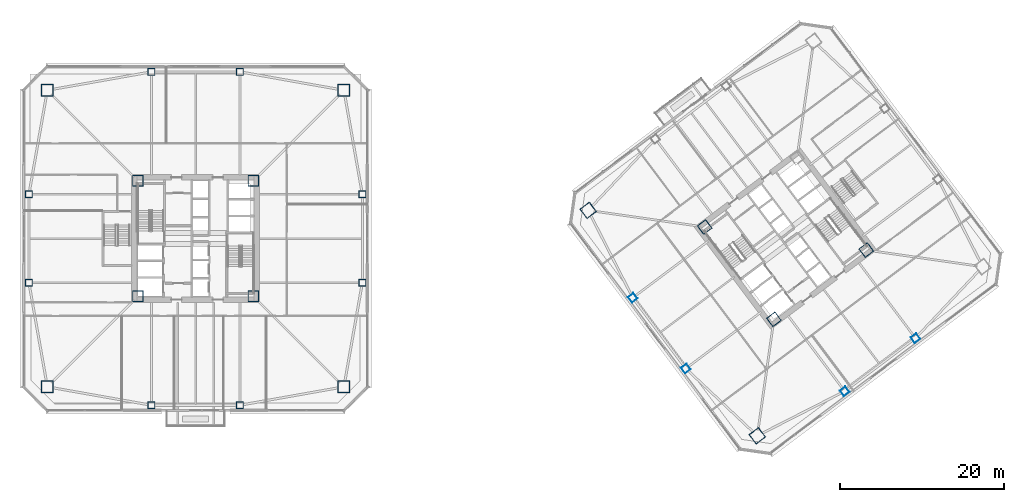
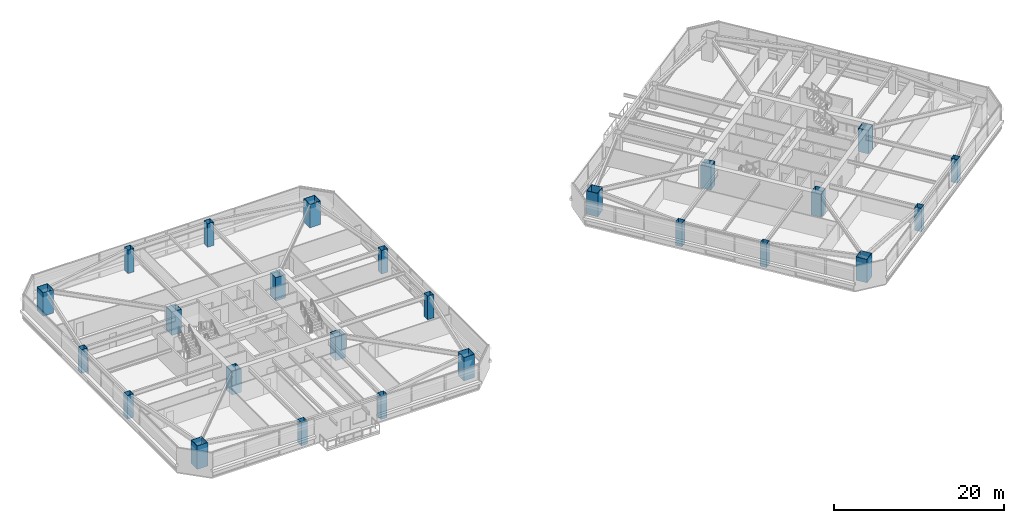
# One storey, part 1 of 44: 25 columns.
"""IFC4 building model written with IfcOpenShell, lengths in metres."""

from ifc_helpers import new_model, si_unit, direction, frame, origin, origin_2d, place, context, subcontext, project, spatial, hollow_rectangle, extrude, material, material_profile, profile_set, type_object, element, save


model = new_model("IFC4")

# Units and contexts
model_context = context("Model", 3, precision=1e-05, world=origin(), true_north=direction((0.0, 1.0)))
body_context = subcontext(model_context, "Body", "Model", "MODEL_VIEW")
ifc_project = project(units=[si_unit("LENGTHUNIT", "METRE"), si_unit("AREAUNIT", "SQUARE_METRE"), si_unit("VOLUMEUNIT", "CUBIC_METRE"), si_unit("PLANEANGLEUNIT", "RADIAN"), si_unit("MASSUNIT", "GRAM", prefix="KILO")], contexts=[model_context])

# Site, building, storey
site_placement = place(None, origin())
site = spatial("IfcSite", under=ifc_project, at=site_placement, CompositionType="ELEMENT")
building_placement = place(site_placement, origin())
building = spatial("IfcBuilding", under=site, at=building_placement, Name="Tashvorn Skyway Center", CompositionType="ELEMENT")
storey_placement = place(building_placement, frame((0.0, 0.0, 92.050048828125)))
storey = spatial("IfcBuildingStorey", under=building, at=storey_placement, Name="L24", CompositionType="ELEMENT", Elevation=92.050048828125)

# Columns
ifc_material = material(Name="Steel ASTM A572 Grade 50", Category="steel")
ifc_material_profile_1 = material_profile(ifc_material, hollow_rectangle(XDim=1.300048828125, YDim=1.300048828125, WallThickness=0.050048828125, at=origin_2d()), Name="BOX1300x1300x50")
ifc_profile_set_1 = profile_set([ifc_material_profile_1], Name="Steel ASTM A572 Grade 50")
column_type_1 = type_object("IfcColumnType", Name="COL-BOX1300x1300x50", PredefinedType="COLUMN", material=ifc_profile_set_1)
for number, where, z_axis, x_axis, name in (
    (1, (34.949951171875, 24.949951171875, 0.0), (0.0, 0.0, 1.0), (1.0, 0.0, 0.0), "Tower 1 L24 Core Corner Column CC-SW"),
    (2, (49.050048828125, 24.949951171875, 0.0), (0.0, 0.0, 1.0), (1.0, 0.0, 0.0), "Tower 1 L24 Core Corner Column CC-SE"),
    (3, (49.050048828125, 39.050048828125, 0.0), (0.0, 0.0, 1.0), (1.0, 0.0, 0.0), "Tower 1 L24 Core Corner Column CC-NE"),
    (4, (34.949951171875, 39.050048828125, 0.0), (0.0, 0.0, 1.0), (1.0, 0.0, 0.0), "Tower 1 L24 Core Corner Column CC-NW"),
    (5, (112.590087890625, 22.1298828125, 0.0), (0.0, 0.0, 1.0), (0.799999996291, 0.600000004945, 0.0), "Tower 2 L24 Core Corner Column CC-SW"),
    (6, (123.8701171875, 30.590087890625, 0.0), (0.0, 0.0, 1.0), (0.799999996291, 0.600000004945, 0.0), "Tower 2 L24 Core Corner Column CC-SE"),
    (7, (104.1298828125, 33.409912109375, 0.0), (0.0, 0.0, 1.0), (0.799999996291, 0.600000004945, 0.0), "Tower 2 L24 Core Corner Column CC-NW"),
):
    element("IfcColumn", number, at=place(storey_placement, frame(where, z_axis=z_axis, x_axis=x_axis)), inside=storey, type_object=column_type_1, Name=name, PredefinedType="COLUMN", context=body_context, shape_type="SweptSolid", body=[
        extrude(hollow_rectangle(XDim=1.300048828125, YDim=1.300048828125, WallThickness=0.050048828125, at=origin_2d()), origin(), (0.0, 0.0, 1.0), 3.349853515625),
    ])
ifc_material_profile_2 = material_profile(ifc_material, hollow_rectangle(XDim=1.449951171875, YDim=1.449951171875, WallThickness=0.054931640625, at=origin_2d()), Name="BOX1450x1450x55")
ifc_profile_set_2 = profile_set([ifc_material_profile_2], Name="Steel ASTM A572 Grade 50")
column_type_2 = type_object("IfcColumnType", Name="COL-BOX1450x1450x55", PredefinedType="COLUMN", material=ifc_profile_set_2)
for number, where, z_axis, x_axis, name in (
    (8, (23.89990234375, 13.89990234375, 0.0), (0.0, 0.0, 1.0), (1.0, 0.0, 0.0), "Tower 1 L24 Mega-Column MC-SW"),
    (9, (60.10009765625, 13.89990234375, 0.0), (0.0, 0.0, 1.0), (1.0, 0.0, 0.0), "Tower 1 L24 Mega-Column MC-SE"),
    (10, (60.10009765625, 50.10009765625, 0.0), (0.0, 0.0, 1.0), (1.0, 0.0, 0.0), "Tower 1 L24 Mega-Column MC-NE"),
    (11, (23.89990234375, 50.10009765625, 0.0), (0.0, 0.0, 1.0), (1.0, 0.0, 0.0), "Tower 1 L24 Mega-Column MC-NW"),
    (12, (110.56005859375, 7.919921875, 0.0), (0.0, 0.0, 1.0), (0.799999996291, 0.600000004945, 0.0), "Tower 2 L24 Mega-Column MC-SW"),
    (13, (89.919921875, 35.43994140625, 0.0), (0.0, 0.0, 1.0), (0.799999996291, 0.600000004945, 0.0), "Tower 2 L24 Mega-Column MC-NW"),
):
    element("IfcColumn", number, at=place(storey_placement, frame(where, z_axis=z_axis, x_axis=x_axis)), inside=storey, type_object=column_type_2, Name=name, PredefinedType="COLUMN", context=body_context, shape_type="SweptSolid", body=[
        extrude(hollow_rectangle(XDim=1.449951171875, YDim=1.449951171875, WallThickness=0.054931640625, at=origin_2d()), origin(), (0.0, 0.0, 1.0), 3.349853515625),
    ])
ifc_material_profile_3 = material_profile(ifc_material, hollow_rectangle(XDim=0.85009765625, YDim=0.85009765625, WallThickness=0.034912109375, at=origin_2d()), Name="BOX850x850x35")
ifc_profile_set_3 = profile_set([ifc_material_profile_3], Name="Steel ASTM A572 Grade 50")
column_type_3 = type_object("IfcColumnType", Name="COL-BOX850x850x35", PredefinedType="COLUMN", material=ifc_profile_set_3)
for number, where, z_axis, x_axis, name in (
    (14, (36.60009765625, 11.64990234375, 0.0), (0.0, 0.0, 1.0), (1.0, 0.0, 0.0), "Tower 1 L24 Perimeter Column FC-S1"),
    (15, (47.39990234375, 11.64990234375, 0.0), (0.0, 0.0, 1.0), (1.0, 0.0, 0.0), "Tower 1 L24 Perimeter Column FC-S2"),
    (16, (62.35009765625, 26.60009765625, 0.0), (0.0, 0.0, 1.0), (1.0, 0.0, 0.0), "Tower 1 L24 Perimeter Column FC-E1"),
    (17, (62.35009765625, 37.39990234375, 0.0), (0.0, 0.0, 1.0), (1.0, 0.0, 0.0), "Tower 1 L24 Perimeter Column FC-E2"),
    (18, (47.39990234375, 52.35009765625, 0.0), (0.0, 0.0, 1.0), (1.0, 0.0, 0.0), "Tower 1 L24 Perimeter Column FC-N1"),
    (19, (36.60009765625, 52.35009765625, 0.0), (0.0, 0.0, 1.0), (1.0, 0.0, 0.0), "Tower 1 L24 Perimeter Column FC-N2"),
    (20, (21.64990234375, 37.39990234375, 0.0), (0.0, 0.0, 1.0), (1.0, 0.0, 0.0), "Tower 1 L24 Perimeter Column FC-W1"),
    (21, (21.64990234375, 26.60009765625, 0.0), (0.0, 0.0, 1.0), (1.0, 0.0, 0.0), "Tower 1 L24 Perimeter Column FC-W2"),
    (22, (121.22998046875, 13.360107421875, 0.0), (0.0, 0.0, 1.0), (0.799999996291, 0.600000004945, 0.0), "Tower 2 L24 Perimeter Column FC-S1"),
    (23, (129.8701171875, 19.840087890625, 0.0), (0.0, 0.0, 1.0), (0.799999996291, 0.600000004945, 0.0), "Tower 2 L24 Perimeter Column FC-S2"),
    (24, (95.360107421875, 24.77001953125, 0.0), (0.0, 0.0, 1.0), (0.799999996291, 0.600000004945, 0.0), "Tower 2 L24 Perimeter Column FC-W1"),
    (25, (101.840087890625, 16.1298828125, 0.0), (0.0, 0.0, 1.0), (0.799999996291, 0.600000004945, 0.0), "Tower 2 L24 Perimeter Column FC-W2"),
):
    element("IfcColumn", number, at=place(storey_placement, frame(where, z_axis=z_axis, x_axis=x_axis)), inside=storey, type_object=column_type_3, Name=name, PredefinedType="COLUMN", context=body_context, shape_type="SweptSolid", body=[
        extrude(hollow_rectangle(XDim=0.85009765625, YDim=0.85009765625, WallThickness=0.034912109375, at=origin_2d()), origin(), (0.0, 0.0, 1.0), 3.349853515625),
    ])

save(model, "model.ifc")
